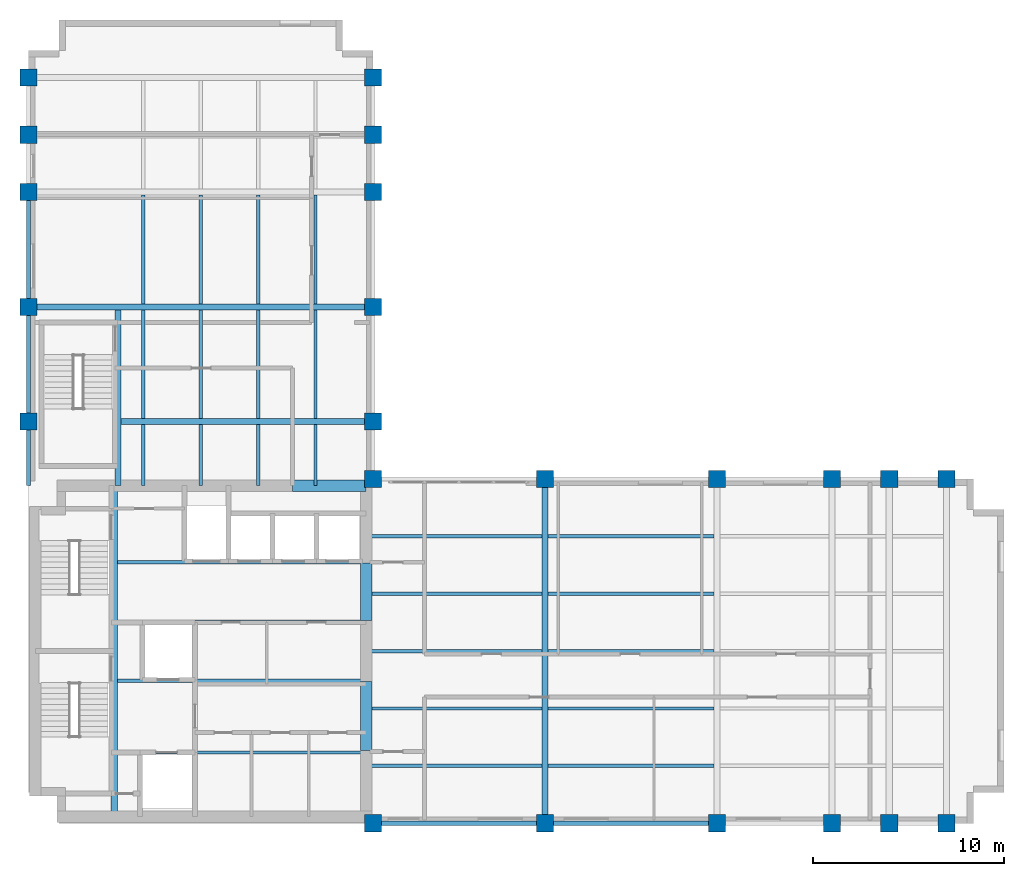
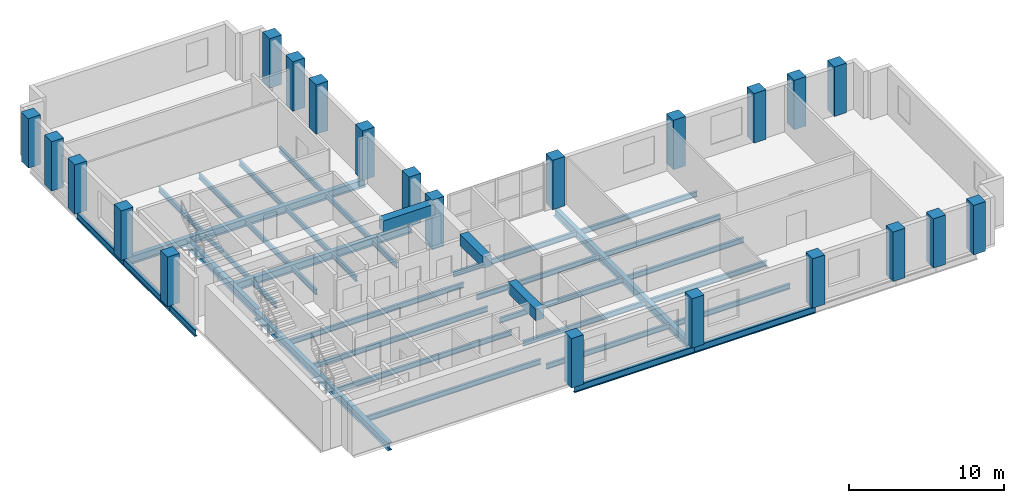
# One storey, part 1 of 7: 39 beams, 22 columns.
"""IFC4 building model written with IfcOpenShell, lengths in metres."""

from ifc_helpers import new_model, si_unit, direction, frame, origin, origin_2d, place, context, subcontext, project, spatial, rectangle, i_section, extrude, material, material_profile, profile_set, type_object, element, save


model = new_model("IFC4")

# Units and contexts
model_context = context("Model", 3, precision=1e-05, world=origin(), true_north=direction((0.0, 1.0)))
body_context = subcontext(model_context, "Body", "Model", "MODEL_VIEW")
ifc_project = project(units=[si_unit("LENGTHUNIT", "METRE"), si_unit("AREAUNIT", "SQUARE_METRE"), si_unit("VOLUMEUNIT", "CUBIC_METRE"), si_unit("PLANEANGLEUNIT", "RADIAN"), si_unit("MASSUNIT", "GRAM", prefix="KILO")], contexts=[model_context])

# Site, building, storey
site_placement = place(None, origin())
site = spatial("IfcSite", under=ifc_project, at=site_placement, CompositionType="ELEMENT")
building_placement = place(site_placement, origin())
building = spatial("IfcBuilding", under=site, at=building_placement, Name="Mawjdan Bourse Tower", CompositionType="ELEMENT")
storey_placement = place(building_placement, frame((0.0, 0.0, 172.199951171875)))
storey = spatial("IfcBuildingStorey", under=building, at=storey_placement, Name="L41", CompositionType="ELEMENT", Elevation=172.199951171875)

# Columns
ifc_material_1 = material(Name="Concrete C70/85", Category="concrete")
ifc_material_profile_1 = material_profile(ifc_material_1, rectangle(XDim=0.89990234375, YDim=0.89990234375, at=origin_2d()), Name="RC900X900")
ifc_profile_set_1 = profile_set([ifc_material_profile_1], Name="Concrete C70/85")
column_type = type_object("IfcColumnType", Name="COL-RC900X900", PredefinedType="COLUMN", material=ifc_profile_set_1)
for number, where, z_axis, x_axis, name in (
    (1, (24.0, 3.0, 0.0), (0.0, 0.0, 1.0), (1.0, 0.0, 0.0), "L41 Structural Column C-X240-Y30"),
    (2, (24.0, 21.0, 0.0), (0.0, 0.0, 1.0), (1.0, 0.0, 0.0), "L41 Structural Column C-X240-Y210"),
    (3, (33.0, 3.0, 0.0), (0.0, 0.0, 1.0), (1.0, 0.0, 0.0), "L41 Structural Column C-X330-Y30"),
    (4, (33.0, 21.0, 0.0), (0.0, 0.0, 1.0), (1.0, 0.0, 0.0), "L41 Structural Column C-X330-Y210"),
    (5, (42.0, 3.0, 0.0), (0.0, 0.0, 1.0), (1.0, 0.0, 0.0), "L41 Structural Column C-X420-Y30"),
    (6, (42.0, 21.0, 0.0), (0.0, 0.0, 1.0), (1.0, 0.0, 0.0), "L41 Structural Column C-X420-Y210"),
    (7, (48.0, 3.0, 0.0), (0.0, 0.0, 1.0), (1.0, 0.0, 0.0), "L41 Structural Column C-X480-Y30"),
    (8, (48.0, 21.0, 0.0), (0.0, 0.0, 1.0), (1.0, 0.0, 0.0), "L41 Structural Column C-X480-Y210"),
    (9, (51.0, 3.0, 0.0), (0.0, 0.0, 1.0), (1.0, 0.0, 0.0), "L41 Structural Column C-X510-Y30"),
    (10, (51.0, 21.0, 0.0), (0.0, 0.0, 1.0), (1.0, 0.0, 0.0), "L41 Structural Column C-X510-Y210"),
    (11, (54.0, 3.0, 0.0), (0.0, 0.0, 1.0), (1.0, 0.0, 0.0), "L41 Structural Column C-X540-Y30"),
    (12, (54.0, 21.0, 0.0), (0.0, 0.0, 1.0), (1.0, 0.0, 0.0), "L41 Structural Column C-X540-Y210"),
    (13, (6.0, 24.0, 0.0), (0.0, 0.0, 1.0), (1.0, 0.0, 0.0), "L41 Structural Column C-X60-Y240"),
    (14, (24.0, 24.0, 0.0), (0.0, 0.0, 1.0), (1.0, 0.0, 0.0), "L41 Structural Column C-X240-Y240"),
    (15, (6.0, 30.0, 0.0), (0.0, 0.0, 1.0), (1.0, 0.0, 0.0), "L41 Structural Column C-X60-Y300"),
    (16, (24.0, 30.0, 0.0), (0.0, 0.0, 1.0), (1.0, 0.0, 0.0), "L41 Structural Column C-X240-Y300"),
    (17, (6.0, 36.0, 0.0), (0.0, 0.0, 1.0), (1.0, 0.0, 0.0), "L41 Structural Column C-X60-Y360"),
    (18, (24.0, 36.0, 0.0), (0.0, 0.0, 1.0), (1.0, 0.0, 0.0), "L41 Structural Column C-X240-Y360"),
    (19, (6.0, 39.0, 0.0), (0.0, 0.0, 1.0), (1.0, 0.0, 0.0), "L41 Structural Column C-X60-Y390"),
    (20, (24.0, 39.0, 0.0), (0.0, 0.0, 1.0), (1.0, 0.0, 0.0), "L41 Structural Column C-X240-Y390"),
    (21, (6.0, 42.0, 0.0), (0.0, 0.0, 1.0), (1.0, 0.0, 0.0), "L41 Structural Column C-X60-Y420"),
    (22, (24.0, 42.0, 0.0), (0.0, 0.0, 1.0), (1.0, 0.0, 0.0), "L41 Structural Column C-X240-Y420"),
):
    element("IfcColumn", number, at=place(storey_placement, frame(where, z_axis=z_axis, x_axis=x_axis)), inside=storey, type_object=column_type, Name=name, PredefinedType="COLUMN", context=body_context, shape_type="SweptSolid", body=[
        extrude(rectangle(XDim=0.89990234375, YDim=0.89990234375, at=origin_2d()), origin(), (0.0, 0.0, 1.0), 3.900146484375),
    ])

# Beams
ifc_material_2 = material(Name="Structural Steel S355", Category="steel")
ifc_material_profile_2 = material_profile(ifc_material_2, i_section(OverallWidth=0.324951171875, OverallDepth=0.616943359375, WebThickness=0.013916015625, FlangeThickness=0.021484375, FilletRadius=0.017333984375, at=origin_2d()), Name="W24X117")
ifc_profile_set_2 = profile_set([ifc_material_profile_2], Name="Structural Steel S355")
beam_type_1 = type_object("IfcBeamType", Name="GRD-W24X117", PredefinedType="BEAM", material=ifc_profile_set_2)
beam_1_placement = place(storey_placement, frame((10.47998046875, 3.35009765625, -0.508544921875), z_axis=(0.0, 1.0, 0.0), x_axis=(-1.0, 0.0, 0.0)))
element("IfcBeam", 23, at=beam_1_placement, inside=storey, type_object=beam_type_1, Name="L41 Core Stair Trimmer Girder 001", PredefinedType="BEAM", context=body_context, shape_type="SweptSolid", body=[
    extrude(i_section(OverallWidth=0.324951171875, OverallDepth=0.616943359375, WebThickness=0.013916015625, FlangeThickness=0.021484375, FilletRadius=0.017333984375, at=origin_2d()), origin(), (0.0, 0.0, 1.0), 17.2998046875),
])
beam_2_placement = place(storey_placement, frame((33.0, 3.0, -0.508544921875), z_axis=(0.0, 1.0, 0.0), x_axis=(-1.0, 0.0, 0.0)))
element("IfcBeam", 24, at=beam_2_placement, inside=storey, type_object=beam_type_1, Name="L41 East Wing Clear-Span Girder 002", PredefinedType="BEAM", context=body_context, shape_type="SweptSolid", body=[
    extrude(i_section(OverallWidth=0.324951171875, OverallDepth=0.616943359375, WebThickness=0.013916015625, FlangeThickness=0.021484375, FilletRadius=0.017333984375, at=origin_2d()), origin(), (0.0, 0.0, 1.0), 18.0),
])
beam_3_placement = place(storey_placement, frame((10.679931640625, 20.64990234375, -0.508544921875), z_axis=(0.0, 1.0, 0.0), x_axis=(-1.0, 0.0, 0.0)))
element("IfcBeam", 25, at=beam_3_placement, inside=storey, type_object=beam_type_1, Name="L41 North Wing Stair Trimmer Girder 046", PredefinedType="BEAM", context=body_context, shape_type="SweptSolid", body=[
    extrude(i_section(OverallWidth=0.324951171875, OverallDepth=0.616943359375, WebThickness=0.013916015625, FlangeThickness=0.021484375, FilletRadius=0.017333984375, at=origin_2d()), origin(), (0.0, 0.0, 1.0), 9.189697265625),
])
beam_4_placement = place(storey_placement, frame((10.840576171875, 24.0, -0.508544921875), z_axis=(1.0, 0.0, 0.0), x_axis=(0.0, 1.0, 0.0)))
element("IfcBeam", 26, at=beam_4_placement, inside=storey, type_object=beam_type_1, Name="L41 North Wing Clear-Span Girder 047", PredefinedType="BEAM", context=body_context, shape_type="SweptSolid", body=[
    extrude(i_section(OverallWidth=0.324951171875, OverallDepth=0.616943359375, WebThickness=0.013916015625, FlangeThickness=0.021484375, FilletRadius=0.017333984375, at=origin_2d()), origin(), (0.0, 0.0, 1.0), 13.159423828125),
])
beam_5_placement = place(storey_placement, frame((6.0, 30.0, -0.508544921875), z_axis=(1.0, 0.0, 0.0), x_axis=(0.0, 1.0, 0.0)))
element("IfcBeam", 27, at=beam_5_placement, inside=storey, type_object=beam_type_1, Name="L41 North Wing Clear-Span Girder 048", PredefinedType="BEAM", context=body_context, shape_type="SweptSolid", body=[
    extrude(i_section(OverallWidth=0.324951171875, OverallDepth=0.616943359375, WebThickness=0.013916015625, FlangeThickness=0.021484375, FilletRadius=0.017333984375, at=origin_2d()), origin(), (0.0, 0.0, 1.0), 18.0),
])
ifc_material_profile_3 = material_profile(ifc_material_2, i_section(OverallWidth=0.177978515625, OverallDepth=0.406982421875, WebThickness=0.0078125, FlangeThickness=0.0126953125, FilletRadius=0.01025390625, at=origin_2d()), Name="W16X40")
ifc_profile_set_3 = profile_set([ifc_material_profile_3], Name="Structural Steel S355")
beam_type_2 = type_object("IfcBeamType", Name="JST-W16X40", PredefinedType="JOIST", material=ifc_profile_set_3)
beam_6_placement = place(storey_placement, frame((23.64990234375, 6.0, -0.403564453125), z_axis=(1.0, 0.0, 0.0), x_axis=(0.0, 1.0, 0.0)))
element("IfcBeam", 28, at=beam_6_placement, inside=storey, type_object=beam_type_2, Name="L41 East Wing Composite Joist 017", PredefinedType="JOIST", context=body_context, shape_type="SweptSolid", body=[
    extrude(i_section(OverallWidth=0.177978515625, OverallDepth=0.406982421875, WebThickness=0.0078125, FlangeThickness=0.0126953125, FilletRadius=0.01025390625, at=origin_2d()), origin(), (0.0, 0.0, 1.0), 9.189697265625),
])
beam_7_placement = place(storey_placement, frame((33.160400390625, 6.0, -0.403564453125), z_axis=(1.0, 0.0, 0.0), x_axis=(0.0, 1.0, 0.0)))
element("IfcBeam", 29, at=beam_7_placement, inside=storey, type_object=beam_type_2, Name="L41 East Wing Composite Joist 018", PredefinedType="JOIST", context=body_context, shape_type="SweptSolid", body=[
    extrude(i_section(OverallWidth=0.177978515625, OverallDepth=0.406982421875, WebThickness=0.0078125, FlangeThickness=0.0126953125, FilletRadius=0.01025390625, at=origin_2d()), origin(), (0.0, 0.0, 1.0), 8.67919921875),
])
beam_8_placement = place(storey_placement, frame((23.64990234375, 9.0, -0.403564453125), z_axis=(1.0, 0.0, 0.0), x_axis=(0.0, 1.0, 0.0)))
element("IfcBeam", 30, at=beam_8_placement, inside=storey, type_object=beam_type_2, Name="L41 East Wing Composite Joist 022", PredefinedType="JOIST", context=body_context, shape_type="SweptSolid", body=[
    extrude(i_section(OverallWidth=0.177978515625, OverallDepth=0.406982421875, WebThickness=0.0078125, FlangeThickness=0.0126953125, FilletRadius=0.01025390625, at=origin_2d()), origin(), (0.0, 0.0, 1.0), 9.189697265625),
])
beam_9_placement = place(storey_placement, frame((33.160400390625, 9.0, -0.403564453125), z_axis=(1.0, 0.0, 0.0), x_axis=(0.0, 1.0, 0.0)))
element("IfcBeam", 31, at=beam_9_placement, inside=storey, type_object=beam_type_2, Name="L41 East Wing Composite Joist 023", PredefinedType="JOIST", context=body_context, shape_type="SweptSolid", body=[
    extrude(i_section(OverallWidth=0.177978515625, OverallDepth=0.406982421875, WebThickness=0.0078125, FlangeThickness=0.0126953125, FilletRadius=0.01025390625, at=origin_2d()), origin(), (0.0, 0.0, 1.0), 8.67919921875),
])
beam_10_placement = place(storey_placement, frame((23.64990234375, 12.0, -0.403564453125), z_axis=(1.0, 0.0, 0.0), x_axis=(0.0, 1.0, 0.0)))
element("IfcBeam", 32, at=beam_10_placement, inside=storey, type_object=beam_type_2, Name="L41 East Wing Composite Joist 027", PredefinedType="JOIST", context=body_context, shape_type="SweptSolid", body=[
    extrude(i_section(OverallWidth=0.177978515625, OverallDepth=0.406982421875, WebThickness=0.0078125, FlangeThickness=0.0126953125, FilletRadius=0.01025390625, at=origin_2d()), origin(), (0.0, 0.0, 1.0), 9.189697265625),
])
beam_11_placement = place(storey_placement, frame((33.160400390625, 12.0, -0.403564453125), z_axis=(1.0, 0.0, 0.0), x_axis=(0.0, 1.0, 0.0)))
element("IfcBeam", 33, at=beam_11_placement, inside=storey, type_object=beam_type_2, Name="L41 East Wing Composite Joist 028", PredefinedType="JOIST", context=body_context, shape_type="SweptSolid", body=[
    extrude(i_section(OverallWidth=0.177978515625, OverallDepth=0.406982421875, WebThickness=0.0078125, FlangeThickness=0.0126953125, FilletRadius=0.01025390625, at=origin_2d()), origin(), (0.0, 0.0, 1.0), 8.67919921875),
])
beam_12_placement = place(storey_placement, frame((23.64990234375, 15.0, -0.403564453125), z_axis=(1.0, 0.0, 0.0), x_axis=(0.0, 1.0, 0.0)))
element("IfcBeam", 34, at=beam_12_placement, inside=storey, type_object=beam_type_2, Name="L41 East Wing Composite Joist 032", PredefinedType="JOIST", context=body_context, shape_type="SweptSolid", body=[
    extrude(i_section(OverallWidth=0.177978515625, OverallDepth=0.406982421875, WebThickness=0.0078125, FlangeThickness=0.0126953125, FilletRadius=0.01025390625, at=origin_2d()), origin(), (0.0, 0.0, 1.0), 9.189697265625),
])
beam_13_placement = place(storey_placement, frame((33.160400390625, 15.0, -0.403564453125), z_axis=(1.0, 0.0, 0.0), x_axis=(0.0, 1.0, 0.0)))
element("IfcBeam", 35, at=beam_13_placement, inside=storey, type_object=beam_type_2, Name="L41 East Wing Composite Joist 033", PredefinedType="JOIST", context=body_context, shape_type="SweptSolid", body=[
    extrude(i_section(OverallWidth=0.177978515625, OverallDepth=0.406982421875, WebThickness=0.0078125, FlangeThickness=0.0126953125, FilletRadius=0.01025390625, at=origin_2d()), origin(), (0.0, 0.0, 1.0), 8.67919921875),
])
beam_14_placement = place(storey_placement, frame((23.64990234375, 18.0, -0.403564453125), z_axis=(1.0, 0.0, 0.0), x_axis=(0.0, 1.0, 0.0)))
element("IfcBeam", 36, at=beam_14_placement, inside=storey, type_object=beam_type_2, Name="L41 East Wing Composite Joist 037", PredefinedType="JOIST", context=body_context, shape_type="SweptSolid", body=[
    extrude(i_section(OverallWidth=0.177978515625, OverallDepth=0.406982421875, WebThickness=0.0078125, FlangeThickness=0.0126953125, FilletRadius=0.01025390625, at=origin_2d()), origin(), (0.0, 0.0, 1.0), 9.189697265625),
])
beam_15_placement = place(storey_placement, frame((33.160400390625, 18.0, -0.403564453125), z_axis=(1.0, 0.0, 0.0), x_axis=(0.0, 1.0, 0.0)))
element("IfcBeam", 37, at=beam_15_placement, inside=storey, type_object=beam_type_2, Name="L41 East Wing Composite Joist 038", PredefinedType="JOIST", context=body_context, shape_type="SweptSolid", body=[
    extrude(i_section(OverallWidth=0.177978515625, OverallDepth=0.406982421875, WebThickness=0.0078125, FlangeThickness=0.0126953125, FilletRadius=0.01025390625, at=origin_2d()), origin(), (0.0, 0.0, 1.0), 8.67919921875),
])
for number, where, z_axis, x_axis, name in (
    (38, (10.640380859375, 6.699951171875, -0.403564453125), (1.0, 0.0, 0.0), (0.0, 1.0, 0.0), "L41 Core Floor Joist 042"),
    (39, (10.640380859375, 10.449951171875, -0.403564453125), (1.0, 0.0, 0.0), (0.0, 1.0, 0.0), "L41 Core Floor Joist 043"),
    (40, (10.640380859375, 13.550048828125, -0.403564453125), (1.0, 0.0, 0.0), (0.0, 1.0, 0.0), "L41 Core Floor Joist 044"),
    (41, (10.640380859375, 16.64990234375, -0.403564453125), (1.0, 0.0, 0.0), (0.0, 1.0, 0.0), "L41 Core Floor Joist 045"),
):
    element("IfcBeam", number, at=place(storey_placement, frame(where, z_axis=z_axis, x_axis=x_axis)), inside=storey, type_object=beam_type_2, Name=name, PredefinedType="JOIST", context=body_context, shape_type="SweptSolid", body=[
        extrude(i_section(OverallWidth=0.177978515625, OverallDepth=0.406982421875, WebThickness=0.0078125, FlangeThickness=0.0126953125, FilletRadius=0.01025390625, at=origin_2d()), origin(), (0.0, 0.0, 1.0), 13.009521484375),
    ])
beam_16_placement = place(storey_placement, frame((12.0, 20.64990234375, -0.403564453125), z_axis=(0.0, 1.0, 0.0), x_axis=(-1.0, 0.0, 0.0)))
element("IfcBeam", 42, at=beam_16_placement, inside=storey, type_object=beam_type_2, Name="L41 North Wing Composite Joist 062", PredefinedType="JOIST", context=body_context, shape_type="SweptSolid", body=[
    extrude(i_section(OverallWidth=0.177978515625, OverallDepth=0.406982421875, WebThickness=0.0078125, FlangeThickness=0.0126953125, FilletRadius=0.01025390625, at=origin_2d()), origin(), (0.0, 0.0, 1.0), 3.189697265625),
])
for number, where, z_axis, x_axis, name in (
    (43, (12.0, 24.160400390625, -0.403564453125), (0.0, 1.0, 0.0), (-1.0, 0.0, 0.0), "L41 North Wing Composite Joist 063"),
    (44, (12.0, 30.160400390625, -0.403564453125), (0.0, 1.0, 0.0), (-1.0, 0.0, 0.0), "L41 North Wing Composite Joist 064"),
):
    element("IfcBeam", number, at=place(storey_placement, frame(where, z_axis=z_axis, x_axis=x_axis)), inside=storey, type_object=beam_type_2, Name=name, PredefinedType="JOIST", context=body_context, shape_type="SweptSolid", body=[
        extrude(i_section(OverallWidth=0.177978515625, OverallDepth=0.406982421875, WebThickness=0.0078125, FlangeThickness=0.0126953125, FilletRadius=0.01025390625, at=origin_2d()), origin(), (0.0, 0.0, 1.0), 5.67919921875),
    ])
beam_17_placement = place(storey_placement, frame((15.0, 20.64990234375, -0.403564453125), z_axis=(0.0, 1.0, 0.0), x_axis=(-1.0, 0.0, 0.0)))
element("IfcBeam", 45, at=beam_17_placement, inside=storey, type_object=beam_type_2, Name="L41 North Wing Composite Joist 067", PredefinedType="JOIST", context=body_context, shape_type="SweptSolid", body=[
    extrude(i_section(OverallWidth=0.177978515625, OverallDepth=0.406982421875, WebThickness=0.0078125, FlangeThickness=0.0126953125, FilletRadius=0.01025390625, at=origin_2d()), origin(), (0.0, 0.0, 1.0), 3.189697265625),
])
for number, where, z_axis, x_axis, name in (
    (46, (15.0, 24.160400390625, -0.403564453125), (0.0, 1.0, 0.0), (-1.0, 0.0, 0.0), "L41 North Wing Composite Joist 068"),
    (47, (15.0, 30.160400390625, -0.403564453125), (0.0, 1.0, 0.0), (-1.0, 0.0, 0.0), "L41 North Wing Composite Joist 069"),
):
    element("IfcBeam", number, at=place(storey_placement, frame(where, z_axis=z_axis, x_axis=x_axis)), inside=storey, type_object=beam_type_2, Name=name, PredefinedType="JOIST", context=body_context, shape_type="SweptSolid", body=[
        extrude(i_section(OverallWidth=0.177978515625, OverallDepth=0.406982421875, WebThickness=0.0078125, FlangeThickness=0.0126953125, FilletRadius=0.01025390625, at=origin_2d()), origin(), (0.0, 0.0, 1.0), 5.67919921875),
    ])
beam_18_placement = place(storey_placement, frame((18.0, 20.64990234375, -0.403564453125), z_axis=(0.0, 1.0, 0.0), x_axis=(-1.0, 0.0, 0.0)))
element("IfcBeam", 48, at=beam_18_placement, inside=storey, type_object=beam_type_2, Name="L41 North Wing Composite Joist 072", PredefinedType="JOIST", context=body_context, shape_type="SweptSolid", body=[
    extrude(i_section(OverallWidth=0.177978515625, OverallDepth=0.406982421875, WebThickness=0.0078125, FlangeThickness=0.0126953125, FilletRadius=0.01025390625, at=origin_2d()), origin(), (0.0, 0.0, 1.0), 3.189697265625),
])
for number, where, z_axis, x_axis, name in (
    (49, (18.0, 24.160400390625, -0.403564453125), (0.0, 1.0, 0.0), (-1.0, 0.0, 0.0), "L41 North Wing Composite Joist 073"),
    (50, (18.0, 30.160400390625, -0.403564453125), (0.0, 1.0, 0.0), (-1.0, 0.0, 0.0), "L41 North Wing Composite Joist 074"),
):
    element("IfcBeam", number, at=place(storey_placement, frame(where, z_axis=z_axis, x_axis=x_axis)), inside=storey, type_object=beam_type_2, Name=name, PredefinedType="JOIST", context=body_context, shape_type="SweptSolid", body=[
        extrude(i_section(OverallWidth=0.177978515625, OverallDepth=0.406982421875, WebThickness=0.0078125, FlangeThickness=0.0126953125, FilletRadius=0.01025390625, at=origin_2d()), origin(), (0.0, 0.0, 1.0), 5.67919921875),
    ])
beam_19_placement = place(storey_placement, frame((21.0, 20.64990234375, -0.403564453125), z_axis=(0.0, 1.0, 0.0), x_axis=(-1.0, 0.0, 0.0)))
element("IfcBeam", 51, at=beam_19_placement, inside=storey, type_object=beam_type_2, Name="L41 North Wing Composite Joist 077", PredefinedType="JOIST", context=body_context, shape_type="SweptSolid", body=[
    extrude(i_section(OverallWidth=0.177978515625, OverallDepth=0.406982421875, WebThickness=0.0078125, FlangeThickness=0.0126953125, FilletRadius=0.01025390625, at=origin_2d()), origin(), (0.0, 0.0, 1.0), 3.189697265625),
])
for number, where, z_axis, x_axis, name in (
    (52, (21.0, 24.160400390625, -0.403564453125), (0.0, 1.0, 0.0), (-1.0, 0.0, 0.0), "L41 North Wing Composite Joist 078"),
    (53, (21.0, 30.160400390625, -0.403564453125), (0.0, 1.0, 0.0), (-1.0, 0.0, 0.0), "L41 North Wing Composite Joist 079"),
):
    element("IfcBeam", number, at=place(storey_placement, frame(where, z_axis=z_axis, x_axis=x_axis)), inside=storey, type_object=beam_type_2, Name=name, PredefinedType="JOIST", context=body_context, shape_type="SweptSolid", body=[
        extrude(i_section(OverallWidth=0.177978515625, OverallDepth=0.406982421875, WebThickness=0.0078125, FlangeThickness=0.0126953125, FilletRadius=0.01025390625, at=origin_2d()), origin(), (0.0, 0.0, 1.0), 5.67919921875),
    ])
ifc_material_profile_4 = material_profile(ifc_material_1, rectangle(XDim=0.60009765625, YDim=0.89990234375, at=origin_2d()), Name="RCB600X900")
ifc_profile_set_4 = profile_set([ifc_material_profile_4], Name="Concrete C70/85")
beam_type_3 = type_object("IfcBeamType", Name="LNT-RCB600X900", PredefinedType="LINTEL", material=ifc_profile_set_4)
beam_20_placement = place(storey_placement, frame((23.64990234375, 6.800048828125, 3.25), z_axis=(0.0, 1.0, 0.0), x_axis=(-1.0, 0.0, 0.0)))
element("IfcBeam", 54, at=beam_20_placement, inside=storey, type_object=beam_type_3, Name="L41 Coupled Core Lintel CB-E1", PredefinedType="LINTEL", context=body_context, shape_type="SweptSolid", body=[
    extrude(rectangle(XDim=0.60009765625, YDim=0.89990234375, at=origin_2d()), origin(), (0.0, 0.0, 1.0), 3.599853515625),
])
beam_21_placement = place(storey_placement, frame((23.64990234375, 13.60009765625, 3.25), z_axis=(0.0, 1.0, 0.0), x_axis=(-1.0, 0.0, 0.0)))
element("IfcBeam", 55, at=beam_21_placement, inside=storey, type_object=beam_type_3, Name="L41 Coupled Core Lintel CB-E2", PredefinedType="LINTEL", context=body_context, shape_type="SweptSolid", body=[
    extrude(rectangle(XDim=0.60009765625, YDim=0.89990234375, at=origin_2d()), origin(), (0.0, 0.0, 1.0), 3.0),
])
beam_22_placement = place(storey_placement, frame((19.800048828125, 20.64990234375, 3.25), z_axis=(1.0, 0.0, 0.0), x_axis=(0.0, 1.0, 0.0)))
element("IfcBeam", 56, at=beam_22_placement, inside=storey, type_object=beam_type_3, Name="L41 Coupled Core Lintel CB-N1", PredefinedType="LINTEL", context=body_context, shape_type="SweptSolid", body=[
    extrude(rectangle(XDim=0.60009765625, YDim=0.89990234375, at=origin_2d()), origin(), (0.0, 0.0, 1.0), 3.849853515625),
])
ifc_material_profile_5 = material_profile(ifc_material_2, i_section(OverallWidth=0.2119140625, OverallDepth=0.5439453125, WebThickness=0.01318359375, FlangeThickness=0.021240234375, FilletRadius=0.01708984375, at=origin_2d()), Name="W21X83")
ifc_profile_set_5 = profile_set([ifc_material_profile_5], Name="Structural Steel S355")
beam_type_4 = type_object("IfcBeamType", Name="SPN-W21X83", PredefinedType="SPANDREL", material=ifc_profile_set_5)
for number, where, z_axis, x_axis, name in (
    (57, (24.0, 3.0, -0.471923828125), (1.0, 0.0, 0.0), (0.0, 1.0, 0.0), "L41 Perimeter Masonry-Shelf Spandrel 007"),
    (58, (33.0, 3.0, -0.471923828125), (1.0, 0.0, 0.0), (0.0, 1.0, 0.0), "L41 Perimeter Masonry-Shelf Spandrel 008"),
):
    element("IfcBeam", number, at=place(storey_placement, frame(where, z_axis=z_axis, x_axis=x_axis)), inside=storey, type_object=beam_type_4, Name=name, PredefinedType="SPANDREL", context=body_context, shape_type="SweptSolid", body=[
        extrude(i_section(OverallWidth=0.2119140625, OverallDepth=0.5439453125, WebThickness=0.01318359375, FlangeThickness=0.021240234375, FilletRadius=0.01708984375, at=origin_2d()), origin(), (0.0, 0.0, 1.0), 9.0),
    ])
beam_23_placement = place(storey_placement, frame((6.0, 20.64990234375, -0.471923828125), z_axis=(0.0, 1.0, 0.0), x_axis=(-1.0, 0.0, 0.0)))
element("IfcBeam", 59, at=beam_23_placement, inside=storey, type_object=beam_type_4, Name="L41 North Wing Spandrel 052", PredefinedType="SPANDREL", context=body_context, shape_type="SweptSolid", body=[
    extrude(i_section(OverallWidth=0.2119140625, OverallDepth=0.5439453125, WebThickness=0.01318359375, FlangeThickness=0.021240234375, FilletRadius=0.01708984375, at=origin_2d()), origin(), (0.0, 0.0, 1.0), 3.35009765625),
])
for number, where, z_axis, x_axis, name in (
    (60, (6.0, 24.0, -0.471923828125), (0.0, 1.0, 0.0), (-1.0, 0.0, 0.0), "L41 North Wing Spandrel 053"),
    (61, (6.0, 30.0, -0.471923828125), (0.0, 1.0, 0.0), (-1.0, 0.0, 0.0), "L41 North Wing Spandrel 054"),
):
    element("IfcBeam", number, at=place(storey_placement, frame(where, z_axis=z_axis, x_axis=x_axis)), inside=storey, type_object=beam_type_4, Name=name, PredefinedType="SPANDREL", context=body_context, shape_type="SweptSolid", body=[
        extrude(i_section(OverallWidth=0.2119140625, OverallDepth=0.5439453125, WebThickness=0.01318359375, FlangeThickness=0.021240234375, FilletRadius=0.01708984375, at=origin_2d()), origin(), (0.0, 0.0, 1.0), 6.0),
    ])

save(model, "model.ifc")
